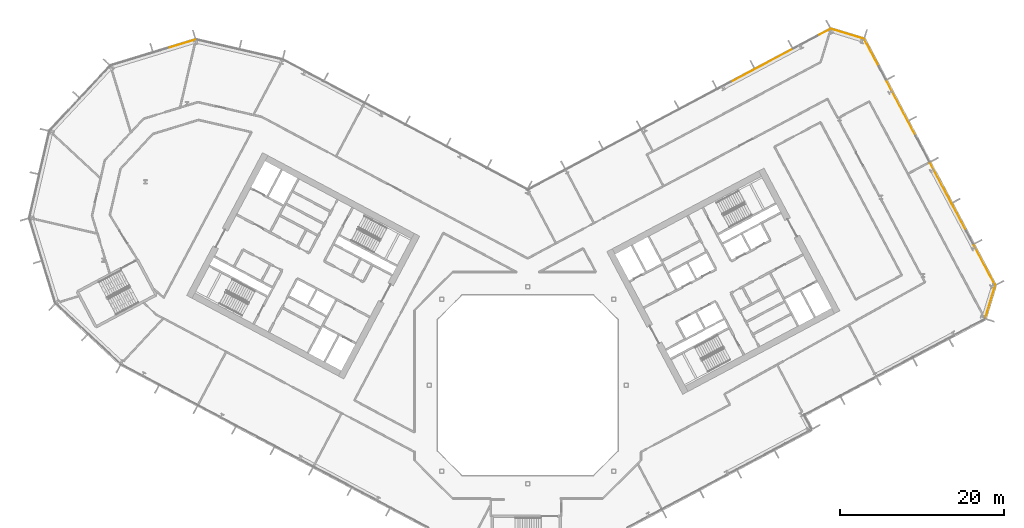
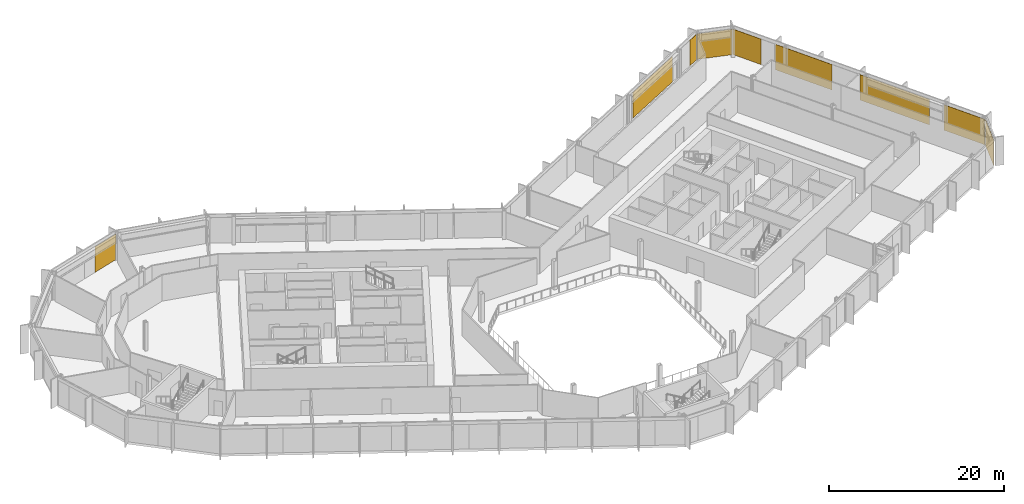
# One storey, part 28 of 28: 9 coverings, 5 elements without a shape of their own.
"""IFC4 building model written with IfcOpenShell, lengths in metres."""

from ifc_helpers import new_model, si_unit, direction, frame, origin, origin_2d, place, context, subcontext, project, spatial, rectangle, extrude, material, layer, layer_set, type_object, element, aggregate, save


model = new_model("IFC4")

# Units and contexts
model_context = context("Model", 3, precision=1e-05, world=origin(), true_north=direction((0.0, 1.0)))
body_context = subcontext(model_context, "Body", "Model", "MODEL_VIEW")
ifc_project = project(units=[si_unit("LENGTHUNIT", "METRE"), si_unit("AREAUNIT", "SQUARE_METRE"), si_unit("VOLUMEUNIT", "CUBIC_METRE"), si_unit("PLANEANGLEUNIT", "RADIAN"), si_unit("MASSUNIT", "GRAM", prefix="KILO")], contexts=[model_context])

# Site, building, storey
site_placement = place(None, origin())
site = spatial("IfcSite", under=ifc_project, at=site_placement, CompositionType="ELEMENT")
building_placement = place(site_placement, origin())
building = spatial("IfcBuilding", under=site, at=building_placement, Name="Cormorant Relay Tower", CompositionType="ELEMENT")
storey_placement = place(building_placement, frame((0.0, 0.0, 122.199951171875)))
storey = spatial("IfcBuildingStorey", under=building, at=storey_placement, Name="L24", CompositionType="ELEMENT", Elevation=122.199951171875)

# Curtain wall, covering
ifc_material_1 = material(Name="Aluminium 6063-T6 anodised bronze", Category="aluminium")
ifc_layer_1 = layer(ifc_material_1, 0.199951171875)
ifc_layer_set_1 = layer_set([ifc_layer_1], Name="CW1 unitised bronze curtain wall with vertical fins")
curtain_wall_type = type_object("IfcCurtainWallType", Name="CW1 unitised bronze curtain wall with vertical fins", PredefinedType="NOTDEFINED", material=ifc_layer_set_1)
curtain_wall_1_placement = place(storey_placement, origin())
curtain_wall_1 = element("IfcCurtainWall", 1, at=curtain_wall_1_placement, inside=storey, type_object=curtain_wall_type, Name="CW1 curtain wall 5", PredefinedType="NOTDEFINED")
ifc_material_2 = material(Name="Pale bronze anodised aluminium insulated panel", Category="aluminium")
ifc_layer_2 = layer(ifc_material_2, 0.0400390625)
ifc_layer_set_2 = layer_set([ifc_layer_2], Name="CW1 pale bronze insulated panel 40")
covering_type = type_object("IfcCoveringType", Name="CW1 pale bronze insulated panel 40", PredefinedType="CLADDING", material=ifc_layer_set_2)
covering_1_placement = place(storey_placement, frame((56.366455078125, 10.16455078125, 0.0), z_axis=(0.0, 0.0, 1.0), x_axis=(0.292371704723, 0.956304755963, 0.0)))
covering_1 = element("IfcCovering", 2, at=covering_1_placement, type_object=covering_type, Name="CW1 panel S00", PredefinedType="CLADDING", context=body_context, shape_type="SweptSolid", body=[
    extrude(rectangle(XDim=4.16748046875, YDim=0.0400390625, at=origin_2d()), origin(), (0.0, 0.0, 1.0), 3.550048828125),
])
aggregate(curtain_wall_1, [covering_1])

# Curtain wall, coverings
curtain_wall_2_placement = place(storey_placement, origin())
curtain_wall_2 = element("IfcCurtainWall", 3, at=curtain_wall_2_placement, inside=storey, type_object=curtain_wall_type, Name="CW1 curtain wall 6", PredefinedType="NOTDEFINED")
covering_2_placement = place(storey_placement, frame((55.64404296875, 14.67431640625, 0.0), z_axis=(0.0, 0.0, 1.0), x_axis=(-0.469471562786, 0.882947592859, 0.0)))
covering_2 = element("IfcCovering", 4, at=covering_2_placement, type_object=covering_type, Name="CW1 panel S00", PredefinedType="CLADDING", context=body_context, shape_type="SweptSolid", body=[
    extrude(rectangle(XDim=5.5166015625, YDim=0.0400390625, at=origin_2d()), origin(), (0.0, 0.0, 1.0), 3.550048828125),
])
covering_3_placement = place(storey_placement, frame((51.231201171875, 22.97412109375, 0.0), z_axis=(0.0, 0.0, 1.0), x_axis=(-0.469471562786, 0.882947592859, 0.0)))
covering_3 = element("IfcCovering", 5, at=covering_3_placement, type_object=covering_type, Name="CW1 panel S02", PredefinedType="CLADDING", context=body_context, shape_type="SweptSolid", body=[
    extrude(rectangle(XDim=9.38330078125, YDim=0.0400390625, at=origin_2d()), origin(), (0.0, 0.0, 1.0), 3.550048828125),
])
covering_4_placement = place(storey_placement, frame((45.48779296875, 33.775390625, 0.0), z_axis=(0.0, 0.0, 1.0), x_axis=(-0.469471562786, 0.882947592859, 0.0)))
covering_4 = element("IfcCovering", 6, at=covering_4_placement, type_object=covering_type, Name="CW1 panel S04", PredefinedType="CLADDING", context=body_context, shape_type="SweptSolid", body=[
    extrude(rectangle(XDim=7.583251953125, YDim=0.0400390625, at=origin_2d()), origin(), (0.0, 0.0, 1.0), 3.550048828125),
])
covering_5_placement = place(storey_placement, frame((41.90234375, 40.518798828125, 0.0), z_axis=(0.0, 0.0, 1.0), x_axis=(-0.469471562786, 0.882947592859, 0.0)))
covering_5 = element("IfcCovering", 7, at=covering_5_placement, type_object=covering_type, Name="CW1 panel S06", PredefinedType="CLADDING", context=body_context, shape_type="SweptSolid", body=[
    extrude(rectangle(XDim=3.791748046875, YDim=0.0400390625, at=origin_2d()), origin(), (0.0, 0.0, 1.0), 3.550048828125),
])
aggregate(curtain_wall_2, [covering_2, covering_3, covering_4, covering_5])

# Curtain wall, covering
curtain_wall_3_placement = place(storey_placement, origin())
curtain_wall_3 = element("IfcCurtainWall", 8, at=curtain_wall_3_placement, inside=storey, type_object=curtain_wall_type, Name="CW1 curtain wall 7", PredefinedType="NOTDEFINED")
covering_6_placement = place(storey_placement, frame((38.935791015625, 42.833740234375, 0.0), z_axis=(0.0, 0.0, 1.0), x_axis=(-0.956304755963, 0.292371704723, 0.0)))
covering_6 = element("IfcCovering", 9, at=covering_6_placement, type_object=covering_type, Name="CW1 panel S00", PredefinedType="CLADDING", context=body_context, shape_type="SweptSolid", body=[
    extrude(rectangle(XDim=4.16748046875, YDim=0.0400390625, at=origin_2d()), origin(), (0.0, 0.0, 1.0), 3.550048828125),
])
aggregate(curtain_wall_3, [covering_6])

# Curtain wall, coverings
curtain_wall_4_placement = place(storey_placement, origin())
curtain_wall_4 = element("IfcCurtainWall", 10, at=curtain_wall_4_placement, inside=storey, type_object=curtain_wall_type, Name="CW1 curtain wall 8", PredefinedType="NOTDEFINED")
covering_7_placement = place(storey_placement, frame((36.208740234375, 43.05908203125, 0.0), z_axis=(0.0, 0.0, 1.0), x_axis=(-0.882947592859, -0.469471562786, 0.0)))
covering_7 = element("IfcCovering", 11, at=covering_7_placement, type_object=covering_type, Name="CW1 panel S00", PredefinedType="CLADDING", context=body_context, shape_type="SweptSolid", body=[
    extrude(rectangle(XDim=1.479248046875, YDim=0.0400390625, at=origin_2d()), origin(), (0.0, 0.0, 1.0), 3.550048828125),
])
covering_8_placement = place(storey_placement, frame((28.48828125, 38.9541015625, 0.0), z_axis=(0.0, 0.0, 1.0), x_axis=(-0.882947592859, -0.469471562786, 0.0)))
covering_8 = element("IfcCovering", 12, at=covering_8_placement, type_object=covering_type, Name="CW1 panel S02", PredefinedType="CLADDING", context=body_context, shape_type="SweptSolid", body=[
    extrude(rectangle(XDim=8.508544921875, YDim=0.0400390625, at=origin_2d()), origin(), (0.0, 0.0, 1.0), 3.550048828125),
])
aggregate(curtain_wall_4, [covering_7, covering_8])

# Curtain wall, covering
curtain_wall_5_placement = place(storey_placement, origin())
curtain_wall_5 = element("IfcCurtainWall", 13, at=curtain_wall_5_placement, inside=storey, type_object=curtain_wall_type, Name="CW1 curtain wall 11", PredefinedType="NOTDEFINED")
covering_9_placement = place(storey_placement, frame((-42.209716796875, 41.60107421875, 0.0), z_axis=(0.0, 0.0, 1.0), x_axis=(-0.956304755963, -0.292371704723, 0.0)))
covering_9 = element("IfcCovering", 14, at=covering_9_placement, type_object=covering_type, Name="CW1 panel S00", PredefinedType="CLADDING", context=body_context, shape_type="SweptSolid", body=[
    extrude(rectangle(XDim=3.485107421875, YDim=0.0400390625, at=origin_2d()), origin(), (0.0, 0.0, 1.0), 3.550048828125),
])
aggregate(curtain_wall_5, [covering_9])

save(model, "model.ifc")
